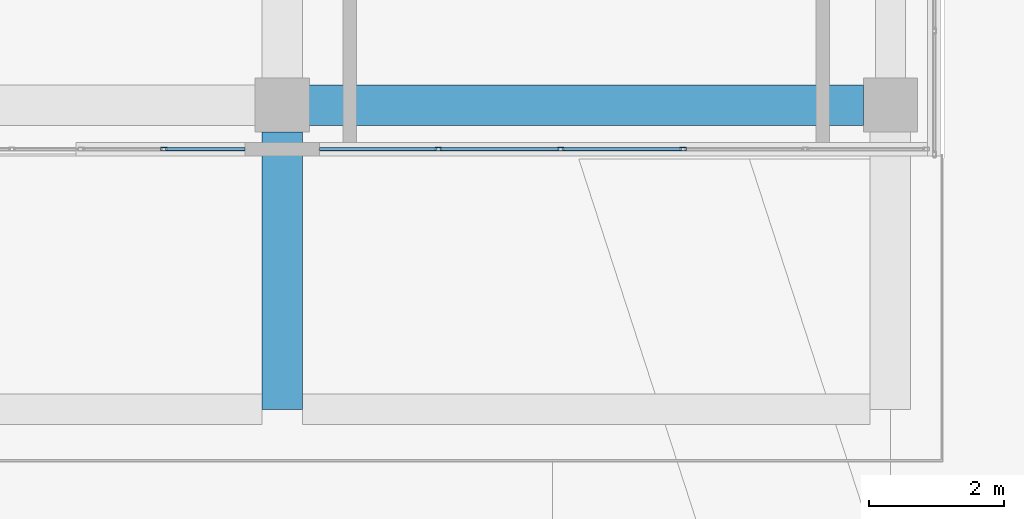
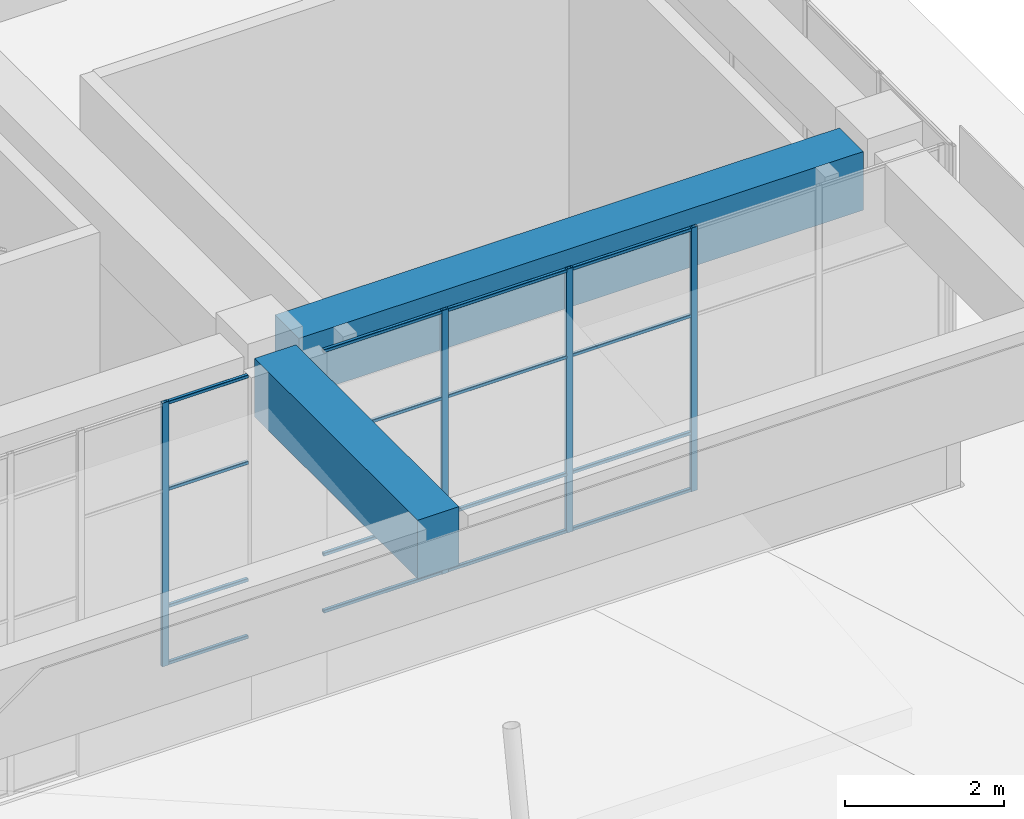
# One storey, part 32 of 72: 20 members, 2 beams, 2 elements without a shape of their own.
"""IFC4 building model written with IfcOpenShell, lengths in metres."""

from ifc_helpers import new_model, si_unit, direction, frame, origin, origin_2d, place, context, subcontext, project, spatial, rectangle, hollow_rectangle, extrude, material, layer, layer_set, material_profile, profile_set, type_object, element, aggregate, save


model = new_model("IFC4")

# Units and contexts
model_context = context("Model", 3, precision=1e-05, world=origin(), true_north=direction((0.0, 1.0)))
body_context = subcontext(model_context, "Body", "Model", "MODEL_VIEW")
ifc_project = project(units=[si_unit("LENGTHUNIT", "METRE"), si_unit("AREAUNIT", "SQUARE_METRE"), si_unit("VOLUMEUNIT", "CUBIC_METRE"), si_unit("PLANEANGLEUNIT", "RADIAN"), si_unit("MASSUNIT", "GRAM", prefix="KILO")], contexts=[model_context])

# Site, building, storey
site_placement = place(None, origin())
site = spatial("IfcSite", under=ifc_project, at=site_placement, CompositionType="ELEMENT")
building_placement = place(site_placement, origin())
building = spatial("IfcBuilding", under=site, at=building_placement, Name="Tuart Plaza Theatre", CompositionType="ELEMENT")
storey_placement = place(building_placement, origin())
storey = spatial("IfcBuildingStorey", under=building, at=storey_placement, Name="L00", CompositionType="ELEMENT", Elevation=0.0)

# Beams
ifc_material_1 = material(Name="Concrete N40 (40 MPa)", Category="concrete")
ifc_material_profile_1 = material_profile(ifc_material_1, rectangle(XDim=0.60009765625, YDim=0.89990234375, at=origin_2d()), Name="BEAM 600x900 Concrete N40 (40 MPa)")
ifc_profile_set_1 = profile_set([ifc_material_profile_1], Name="Concrete N40 (40 MPa)")
beam_type = type_object("IfcBeamType", Name="BEAM 600x900 Concrete N40 (40 MPa)", PredefinedType="BEAM", material=ifc_profile_set_1)
beam_1_placement = place(storey_placement, frame((141.0, 51.5, 4.800048828125), z_axis=(0.0, 1.0, 0.0), x_axis=(-1.0, 0.0, 0.0)))
element("IfcBeam", 1, at=beam_1_placement, inside=storey, type_object=beam_type, Name="RB148", PredefinedType="BEAM", context=body_context, shape_type="SweptSolid", body=[
    extrude(rectangle(XDim=0.60009765625, YDim=0.89990234375, at=origin_2d()), origin(), (0.0, 0.0, 1.0), 4.10009765625),
])
beam_2_placement = place(storey_placement, frame((141.39990234375, 56.0, 4.800048828125), z_axis=(1.0, 0.0, 0.0), x_axis=(0.0, 1.0, 0.0)))
element("IfcBeam", 2, at=beam_2_placement, inside=storey, type_object=beam_type, Name="RB151", PredefinedType="BEAM", context=body_context, shape_type="SweptSolid", body=[
    extrude(rectangle(XDim=0.60009765625, YDim=0.89990234375, at=origin_2d()), origin(), (0.0, 0.0, 1.0), 8.2001953125),
])

# Curtain wall, member
ifc_material_2 = material(Name="Aluminium and glass", Category="aluminium")
ifc_layer_1 = layer(ifc_material_2, 0.10009765625)
ifc_layer_set_1 = layer_set([ifc_layer_1], Name="CURTAIN WALL 1250 module")
curtain_wall_type_1 = type_object("IfcCurtainWallType", Name="CURTAIN WALL 1250 module", PredefinedType="NOTDEFINED", material=ifc_layer_set_1)
curtain_wall_1_placement = place(storey_placement, origin())
curtain_wall_1 = element("IfcCurtainWall", 3, at=curtain_wall_1_placement, inside=storey, type_object=curtain_wall_type_1, Name="CW65", PredefinedType="NOTDEFINED")
ifc_material_3 = material(Name="Aluminium 6063-T5", Category="aluminium")
ifc_material_profile_2 = material_profile(ifc_material_3, hollow_rectangle(XDim=0.050048828125, YDim=0.10009765625, WallThickness=0.00390625, InnerFilletRadius=0.00390625, OuterFilletRadius=0.008056640625, at=origin_2d()), Name="RHS 100x50x4")
ifc_profile_set_2 = profile_set([ifc_material_profile_2], Name="Aluminium 6063-T5")
member_type_1 = type_object("IfcMemberType", Name="MULLION RHS 100x50x4", PredefinedType="MULLION", material=ifc_profile_set_2)
member_1_placement = place(storey_placement, frame((139.25, 55.35009765625, 1.199951171875), z_axis=(0.0, 0.0, 1.0), x_axis=(0.0, 1.0, 0.0)))
member_1 = element("IfcMember", 4, at=member_1_placement, type_object=member_type_1, Name="CW65 mullion 2", PredefinedType="MULLION", context=body_context, shape_type="SweptSolid", body=[
    extrude(hollow_rectangle(XDim=0.050048828125, YDim=0.10009765625, WallThickness=0.00390625, InnerFilletRadius=0.00390625, OuterFilletRadius=0.008056640625, at=origin_2d()), origin(), (0.0, 0.0, 1.0), 4.050048828125),
])

# Curtain wall, members
ifc_material_4 = material(Name="Aluminium and glass", Category="aluminium")
ifc_layer_2 = layer(ifc_material_4, 0.10009765625)
ifc_layer_set_2 = layer_set([ifc_layer_2], Name="CURTAIN WALL 1800 module")
curtain_wall_type_2 = type_object("IfcCurtainWallType", Name="CURTAIN WALL 1800 module", PredefinedType="NOTDEFINED", material=ifc_layer_set_2)
curtain_wall_2_placement = place(storey_placement, origin())
curtain_wall_2 = element("IfcCurtainWall", 5, at=curtain_wall_2_placement, inside=storey, type_object=curtain_wall_type_2, Name="CW66", PredefinedType="NOTDEFINED")
member_2_placement = place(storey_placement, frame((143.31005859375, 55.35009765625, 1.199951171875), z_axis=(0.0, 0.0, 1.0), x_axis=(0.0, 1.0, 0.0)))
member_2 = element("IfcMember", 6, at=member_2_placement, type_object=member_type_1, Name="CW66 mullion 2", PredefinedType="MULLION", context=body_context, shape_type="SweptSolid", body=[
    extrude(hollow_rectangle(XDim=0.050048828125, YDim=0.10009765625, WallThickness=0.00390625, InnerFilletRadius=0.00390625, OuterFilletRadius=0.008056640625, at=origin_2d()), origin(), (0.0, 0.0, 1.0), 4.050048828125),
])
member_3_placement = place(storey_placement, frame((145.1201171875, 55.35009765625, 1.199951171875), z_axis=(0.0, 0.0, 1.0), x_axis=(0.0, 1.0, 0.0)))
member_3 = element("IfcMember", 7, at=member_3_placement, type_object=member_type_1, Name="CW66 mullion 3", PredefinedType="MULLION", context=body_context, shape_type="SweptSolid", body=[
    extrude(hollow_rectangle(XDim=0.050048828125, YDim=0.10009765625, WallThickness=0.00390625, InnerFilletRadius=0.00390625, OuterFilletRadius=0.008056640625, at=origin_2d()), origin(), (0.0, 0.0, 1.0), 4.050048828125),
])
member_4_placement = place(storey_placement, frame((146.929931640625, 55.35009765625, 1.199951171875), z_axis=(0.0, 0.0, 1.0), x_axis=(0.0, 1.0, 0.0)))
member_4 = element("IfcMember", 8, at=member_4_placement, type_object=member_type_1, Name="CW66 mullion 4", PredefinedType="MULLION", context=body_context, shape_type="SweptSolid", body=[
    extrude(hollow_rectangle(XDim=0.050048828125, YDim=0.10009765625, WallThickness=0.00390625, InnerFilletRadius=0.00390625, OuterFilletRadius=0.008056640625, at=origin_2d()), origin(), (0.0, 0.0, 1.0), 4.050048828125),
])

# Member
ifc_material_5 = material(Name="Aluminium 6063-T5", Category="aluminium")
ifc_material_profile_3 = material_profile(ifc_material_5, hollow_rectangle(XDim=0.050048828125, YDim=0.050048828125, WallThickness=0.00390625, InnerFilletRadius=0.00390625, OuterFilletRadius=0.008056640625, at=origin_2d()), Name="RHS 50x50x4")
ifc_profile_set_3 = profile_set([ifc_material_profile_3], Name="Aluminium 6063-T5")
member_type_2 = type_object("IfcMemberType", Name="TRANSOM RHS 50x50x4", PredefinedType="USERDEFINED", material=ifc_profile_set_3)
member_5_placement = place(storey_placement, frame((139.27490234375, 55.35009765625, 1.22509765625), z_axis=(1.0, 0.0, 0.0), x_axis=(0.0, 1.0, 0.0)))
member_5 = element("IfcMember", 9, at=member_5_placement, type_object=member_type_2, Name="CW65 transom 2.1", ObjectType="TRANSOM", PredefinedType="USERDEFINED", context=body_context, shape_type="SweptSolid", body=[
    extrude(hollow_rectangle(XDim=0.050048828125, YDim=0.050048828125, WallThickness=0.00390625, InnerFilletRadius=0.00390625, OuterFilletRadius=0.008056640625, at=origin_2d()), origin(), (0.0, 0.0, 1.0), 1.175048828125),
])

member_6_placement = place(storey_placement, frame((139.27490234375, 55.35009765625, 2.10009765625), z_axis=(1.0, 0.0, 0.0), x_axis=(0.0, 1.0, 0.0)))
member_6 = element("IfcMember", 10, at=member_6_placement, type_object=member_type_2, Name="CW65 transom 2.2", ObjectType="TRANSOM", PredefinedType="USERDEFINED", context=body_context, shape_type="SweptSolid", body=[
    extrude(hollow_rectangle(XDim=0.050048828125, YDim=0.050048828125, WallThickness=0.00390625, InnerFilletRadius=0.00390625, OuterFilletRadius=0.008056640625, at=origin_2d()), origin(), (0.0, 0.0, 1.0), 1.175048828125),
])

member_7_placement = place(storey_placement, frame((139.27490234375, 55.35009765625, 3.89990234375), z_axis=(1.0, 0.0, 0.0), x_axis=(0.0, 1.0, 0.0)))
member_7 = element("IfcMember", 11, at=member_7_placement, type_object=member_type_2, Name="CW65 transom 2.3", ObjectType="TRANSOM", PredefinedType="USERDEFINED", context=body_context, shape_type="SweptSolid", body=[
    extrude(hollow_rectangle(XDim=0.050048828125, YDim=0.050048828125, WallThickness=0.00390625, InnerFilletRadius=0.00390625, OuterFilletRadius=0.008056640625, at=origin_2d()), origin(), (0.0, 0.0, 1.0), 1.175048828125),
])

member_8_placement = place(storey_placement, frame((139.27490234375, 55.35009765625, 5.22509765625), z_axis=(1.0, 0.0, 0.0), x_axis=(0.0, 1.0, 0.0)))
member_8 = element("IfcMember", 12, at=member_8_placement, type_object=member_type_2, Name="CW65 transom 2.4", ObjectType="TRANSOM", PredefinedType="USERDEFINED", context=body_context, shape_type="SweptSolid", body=[
    extrude(hollow_rectangle(XDim=0.050048828125, YDim=0.050048828125, WallThickness=0.00390625, InnerFilletRadius=0.00390625, OuterFilletRadius=0.008056640625, at=origin_2d()), origin(), (0.0, 0.0, 1.0), 1.175048828125),
])

aggregate(curtain_wall_1, [member_1, member_5, member_6, member_7, member_8])

member_9_placement = place(storey_placement, frame((141.550048828125, 55.35009765625, 1.22509765625), z_axis=(1.0, 0.0, 0.0), x_axis=(0.0, 1.0, 0.0)))
member_9 = element("IfcMember", 13, at=member_9_placement, type_object=member_type_2, Name="CW66 transom 1.1", ObjectType="TRANSOM", PredefinedType="USERDEFINED", context=body_context, shape_type="SweptSolid", body=[
    extrude(hollow_rectangle(XDim=0.050048828125, YDim=0.050048828125, WallThickness=0.00390625, InnerFilletRadius=0.00390625, OuterFilletRadius=0.008056640625, at=origin_2d()), origin(), (0.0, 0.0, 1.0), 1.73486328125),
])

member_10_placement = place(storey_placement, frame((141.550048828125, 55.35009765625, 2.10009765625), z_axis=(1.0, 0.0, 0.0), x_axis=(0.0, 1.0, 0.0)))
member_10 = element("IfcMember", 14, at=member_10_placement, type_object=member_type_2, Name="CW66 transom 1.2", ObjectType="TRANSOM", PredefinedType="USERDEFINED", context=body_context, shape_type="SweptSolid", body=[
    extrude(hollow_rectangle(XDim=0.050048828125, YDim=0.050048828125, WallThickness=0.00390625, InnerFilletRadius=0.00390625, OuterFilletRadius=0.008056640625, at=origin_2d()), origin(), (0.0, 0.0, 1.0), 1.73486328125),
])

member_11_placement = place(storey_placement, frame((141.550048828125, 55.35009765625, 3.89990234375), z_axis=(1.0, 0.0, 0.0), x_axis=(0.0, 1.0, 0.0)))
member_11 = element("IfcMember", 15, at=member_11_placement, type_object=member_type_2, Name="CW66 transom 1.3", ObjectType="TRANSOM", PredefinedType="USERDEFINED", context=body_context, shape_type="SweptSolid", body=[
    extrude(hollow_rectangle(XDim=0.050048828125, YDim=0.050048828125, WallThickness=0.00390625, InnerFilletRadius=0.00390625, OuterFilletRadius=0.008056640625, at=origin_2d()), origin(), (0.0, 0.0, 1.0), 1.73486328125),
])

member_12_placement = place(storey_placement, frame((141.550048828125, 55.35009765625, 5.22509765625), z_axis=(1.0, 0.0, 0.0), x_axis=(0.0, 1.0, 0.0)))
member_12 = element("IfcMember", 16, at=member_12_placement, type_object=member_type_2, Name="CW66 transom 1.4", ObjectType="TRANSOM", PredefinedType="USERDEFINED", context=body_context, shape_type="SweptSolid", body=[
    extrude(hollow_rectangle(XDim=0.050048828125, YDim=0.050048828125, WallThickness=0.00390625, InnerFilletRadius=0.00390625, OuterFilletRadius=0.008056640625, at=origin_2d()), origin(), (0.0, 0.0, 1.0), 1.73486328125),
])

member_13_placement = place(storey_placement, frame((143.3349609375, 55.35009765625, 1.22509765625), z_axis=(1.0, 0.0, 0.0), x_axis=(0.0, 1.0, 0.0)))
member_13 = element("IfcMember", 17, at=member_13_placement, type_object=member_type_2, Name="CW66 transom 2.1", ObjectType="TRANSOM", PredefinedType="USERDEFINED", context=body_context, shape_type="SweptSolid", body=[
    extrude(hollow_rectangle(XDim=0.050048828125, YDim=0.050048828125, WallThickness=0.00390625, InnerFilletRadius=0.00390625, OuterFilletRadius=0.008056640625, at=origin_2d()), origin(), (0.0, 0.0, 1.0), 1.760009765625),
])

member_14_placement = place(storey_placement, frame((143.3349609375, 55.35009765625, 2.10009765625), z_axis=(1.0, 0.0, 0.0), x_axis=(0.0, 1.0, 0.0)))
member_14 = element("IfcMember", 18, at=member_14_placement, type_object=member_type_2, Name="CW66 transom 2.2", ObjectType="TRANSOM", PredefinedType="USERDEFINED", context=body_context, shape_type="SweptSolid", body=[
    extrude(hollow_rectangle(XDim=0.050048828125, YDim=0.050048828125, WallThickness=0.00390625, InnerFilletRadius=0.00390625, OuterFilletRadius=0.008056640625, at=origin_2d()), origin(), (0.0, 0.0, 1.0), 1.760009765625),
])

member_15_placement = place(storey_placement, frame((143.3349609375, 55.35009765625, 3.89990234375), z_axis=(1.0, 0.0, 0.0), x_axis=(0.0, 1.0, 0.0)))
member_15 = element("IfcMember", 19, at=member_15_placement, type_object=member_type_2, Name="CW66 transom 2.3", ObjectType="TRANSOM", PredefinedType="USERDEFINED", context=body_context, shape_type="SweptSolid", body=[
    extrude(hollow_rectangle(XDim=0.050048828125, YDim=0.050048828125, WallThickness=0.00390625, InnerFilletRadius=0.00390625, OuterFilletRadius=0.008056640625, at=origin_2d()), origin(), (0.0, 0.0, 1.0), 1.760009765625),
])

member_16_placement = place(storey_placement, frame((143.3349609375, 55.35009765625, 5.22509765625), z_axis=(1.0, 0.0, 0.0), x_axis=(0.0, 1.0, 0.0)))
member_16 = element("IfcMember", 20, at=member_16_placement, type_object=member_type_2, Name="CW66 transom 2.4", ObjectType="TRANSOM", PredefinedType="USERDEFINED", context=body_context, shape_type="SweptSolid", body=[
    extrude(hollow_rectangle(XDim=0.050048828125, YDim=0.050048828125, WallThickness=0.00390625, InnerFilletRadius=0.00390625, OuterFilletRadius=0.008056640625, at=origin_2d()), origin(), (0.0, 0.0, 1.0), 1.760009765625),
])

member_17_placement = place(storey_placement, frame((145.14501953125, 55.35009765625, 1.22509765625), z_axis=(1.0, 0.0, 0.0), x_axis=(0.0, 1.0, 0.0)))
member_17 = element("IfcMember", 21, at=member_17_placement, type_object=member_type_2, Name="CW66 transom 3.1", ObjectType="TRANSOM", PredefinedType="USERDEFINED", context=body_context, shape_type="SweptSolid", body=[
    extrude(hollow_rectangle(XDim=0.050048828125, YDim=0.050048828125, WallThickness=0.00390625, InnerFilletRadius=0.00390625, OuterFilletRadius=0.008056640625, at=origin_2d()), origin(), (0.0, 0.0, 1.0), 1.760009765625),
])

member_18_placement = place(storey_placement, frame((145.14501953125, 55.35009765625, 2.10009765625), z_axis=(1.0, 0.0, 0.0), x_axis=(0.0, 1.0, 0.0)))
member_18 = element("IfcMember", 22, at=member_18_placement, type_object=member_type_2, Name="CW66 transom 3.2", ObjectType="TRANSOM", PredefinedType="USERDEFINED", context=body_context, shape_type="SweptSolid", body=[
    extrude(hollow_rectangle(XDim=0.050048828125, YDim=0.050048828125, WallThickness=0.00390625, InnerFilletRadius=0.00390625, OuterFilletRadius=0.008056640625, at=origin_2d()), origin(), (0.0, 0.0, 1.0), 1.760009765625),
])

member_19_placement = place(storey_placement, frame((145.14501953125, 55.35009765625, 3.89990234375), z_axis=(1.0, 0.0, 0.0), x_axis=(0.0, 1.0, 0.0)))
member_19 = element("IfcMember", 23, at=member_19_placement, type_object=member_type_2, Name="CW66 transom 3.3", ObjectType="TRANSOM", PredefinedType="USERDEFINED", context=body_context, shape_type="SweptSolid", body=[
    extrude(hollow_rectangle(XDim=0.050048828125, YDim=0.050048828125, WallThickness=0.00390625, InnerFilletRadius=0.00390625, OuterFilletRadius=0.008056640625, at=origin_2d()), origin(), (0.0, 0.0, 1.0), 1.760009765625),
])

member_20_placement = place(storey_placement, frame((145.14501953125, 55.35009765625, 5.22509765625), z_axis=(1.0, 0.0, 0.0), x_axis=(0.0, 1.0, 0.0)))
member_20 = element("IfcMember", 24, at=member_20_placement, type_object=member_type_2, Name="CW66 transom 3.4", ObjectType="TRANSOM", PredefinedType="USERDEFINED", context=body_context, shape_type="SweptSolid", body=[
    extrude(hollow_rectangle(XDim=0.050048828125, YDim=0.050048828125, WallThickness=0.00390625, InnerFilletRadius=0.00390625, OuterFilletRadius=0.008056640625, at=origin_2d()), origin(), (0.0, 0.0, 1.0), 1.760009765625),
])

aggregate(curtain_wall_2, [member_2, member_3, member_4, member_9, member_10, member_11, member_12, member_13, member_14, member_15, member_16, member_17, member_18, member_19, member_20])

save(model, "model.ifc")
